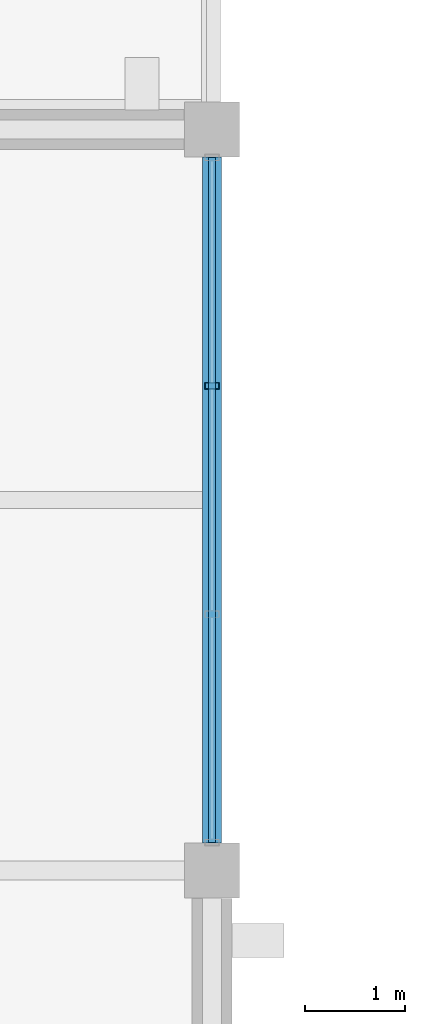
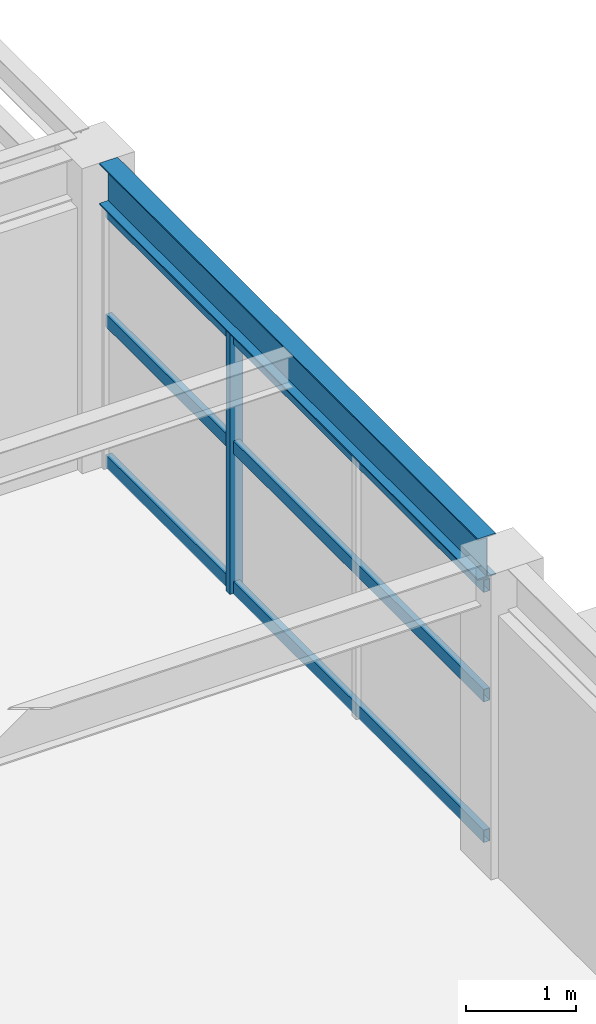
# One storey, part 88 of 121: 4 members, 1 beam, 1 element without a shape of its own.
"""IFC4 building model written with IfcOpenShell, lengths in metres."""

from ifc_helpers import new_model, si_unit, direction, frame, origin, origin_2d, place, context, subcontext, project, spatial, hollow_rectangle, i_section, extrude, material, material_profile, profile_set, type_object, element, aggregate, save


model = new_model("IFC4")

# Units and contexts
model_context = context("Model", 3, precision=1e-05, world=origin(), true_north=direction((0.0, 1.0)))
body_context = subcontext(model_context, "Body", "Model", "MODEL_VIEW")
ifc_project = project(units=[si_unit("LENGTHUNIT", "METRE"), si_unit("AREAUNIT", "SQUARE_METRE"), si_unit("VOLUMEUNIT", "CUBIC_METRE"), si_unit("PLANEANGLEUNIT", "RADIAN"), si_unit("MASSUNIT", "GRAM", prefix="KILO")], contexts=[model_context])

# Site, building, storey
site_placement = place(None, origin())
site = spatial("IfcSite", under=ifc_project, at=site_placement, CompositionType="ELEMENT")
building_placement = place(site_placement, origin())
building = spatial("IfcBuilding", under=site, at=building_placement, Name="Cimatlan Art Gallery", CompositionType="ELEMENT")
storey_placement = place(building_placement, frame((0.0, 0.0, 10.199951171875)))
storey = spatial("IfcBuildingStorey", under=building, at=storey_placement, Name="L02", CompositionType="ELEMENT", Elevation=10.199951171875)

# Beam
ifc_material_1 = material(Name="Steel ASTM A992 Grade 50", Category="steel")
ifc_material_profile_1 = material_profile(ifc_material_1, i_section(OverallWidth=0.19091796875, OverallDepth=0.45703125, WebThickness=0.009033203125, FlangeThickness=0.014404296875, at=origin_2d()), Name="W18X50")
ifc_profile_set_1 = profile_set([ifc_material_profile_1], Name="Steel ASTM A992 Grade 50")
beam_type = type_object("IfcBeamType", Name="BM-STL-W18X50", PredefinedType="BEAM", material=ifc_profile_set_1)
beam_placement = place(storey_placement, frame((131.60009765625, 75.97509765625, 3.1416015625), z_axis=(0.0, 1.0, 0.0), x_axis=(-1.0, 0.0, 0.0)))
element("IfcBeam", 1, at=beam_placement, inside=storey, type_object=beam_type, Name="BM-Y-L02-16-10", PredefinedType="BEAM", context=body_context, shape_type="SweptSolid", body=[
    extrude(i_section(OverallWidth=0.19091796875, OverallDepth=0.45703125, WebThickness=0.009033203125, FlangeThickness=0.014404296875, at=origin_2d()), origin(), (0.0, 0.0, 1.0), 6.849853515625),
])

# Curtain wall, members
ifc_material_2 = material(Name="Anodised bronze unitised curtain wall")
curtain_wall_type = type_object("IfcCurtainWallType", Name="CW-V-06842X02883-B3", PredefinedType="NOTDEFINED", material=ifc_material_2)
curtain_wall_placement = place(storey_placement, origin())
curtain_wall = element("IfcCurtainWall", 2, at=curtain_wall_placement, inside=storey, type_object=curtain_wall_type, Name="CW-L02-15-10-E", PredefinedType="NOTDEFINED")
ifc_material_3 = material(Name="Anodised bronze aluminium 6063-T6", Category="aluminium")
ifc_material_profile_2 = material_profile(ifc_material_3, hollow_rectangle(XDim=0.06494140625, YDim=0.139892578125, WallThickness=0.00390625, at=origin_2d()), Name="ALU65X140X4")
ifc_profile_set_2 = profile_set([ifc_material_profile_2], Name="Anodised bronze aluminium 6063-T6")
member_type_1 = type_object("IfcMemberType", Name="CW-MUL-140", PredefinedType="MULLION", material=ifc_profile_set_2)
member_1_placement = place(storey_placement, frame((131.60009765625, 80.540283203125, 0.0), z_axis=(0.0, 0.0, 1.0), x_axis=(0.0, 1.0, 0.0)))
member_1 = element("IfcMember", 3, at=member_1_placement, type_object=member_type_1, Name="CW-L02-15-10-E-M2", PredefinedType="MULLION", context=body_context, shape_type="SweptSolid", body=[
    extrude(hollow_rectangle(XDim=0.06494140625, YDim=0.139892578125, WallThickness=0.00390625, at=origin_2d()), origin(), (0.0, 0.0, 1.0), 2.883056640625),
])
ifc_material_profile_3 = material_profile(ifc_material_3, hollow_rectangle(XDim=0.06494140625, YDim=0.139892578125, WallThickness=0.00390625, at=origin_2d()), Name="ALU65X140X4")
ifc_profile_set_3 = profile_set([ifc_material_profile_3], Name="Anodised bronze aluminium 6063-T6")
member_type_2 = type_object("IfcMemberType", Name="CW-TRN-140", PredefinedType="USERDEFINED", material=ifc_profile_set_3)
member_2_placement = place(storey_placement, frame((131.60009765625, 82.821044921875, 0.06005859375), z_axis=(0.0, -1.0, 0.0), x_axis=(1.0, 0.0, 0.0)))
member_2 = element("IfcMember", 4, at=member_2_placement, type_object=member_type_2, Name="CW-L02-15-10-E-T1", ObjectType="TRANSOM", PredefinedType="USERDEFINED", context=body_context, shape_type="SweptSolid", body=[
    extrude(hollow_rectangle(XDim=0.06494140625, YDim=0.139892578125, WallThickness=0.00390625, at=origin_2d()), origin(), (0.0, 0.0, 1.0), 6.842041015625),
])
member_3_placement = place(storey_placement, frame((131.60009765625, 82.821044921875, 1.614501953125), z_axis=(0.0, -1.0, 0.0), x_axis=(1.0, 0.0, 0.0)))
member_3 = element("IfcMember", 5, at=member_3_placement, type_object=member_type_2, Name="CW-L02-15-10-E-T2", ObjectType="TRANSOM", PredefinedType="USERDEFINED", context=body_context, shape_type="SweptSolid", body=[
    extrude(hollow_rectangle(XDim=0.06494140625, YDim=0.139892578125, WallThickness=0.00390625, at=origin_2d()), origin(), (0.0, 0.0, 1.0), 6.842041015625),
])
member_4_placement = place(storey_placement, frame((131.60009765625, 82.821044921875, 2.822998046875), z_axis=(0.0, -1.0, 0.0), x_axis=(1.0, 0.0, 0.0)))
member_4 = element("IfcMember", 6, at=member_4_placement, type_object=member_type_2, Name="CW-L02-15-10-E-T3", ObjectType="TRANSOM", PredefinedType="USERDEFINED", context=body_context, shape_type="SweptSolid", body=[
    extrude(hollow_rectangle(XDim=0.06494140625, YDim=0.139892578125, WallThickness=0.00390625, at=origin_2d()), origin(), (0.0, 0.0, 1.0), 6.842041015625),
])
aggregate(curtain_wall, [member_1, member_2, member_3, member_4])

save(model, "model.ifc")
